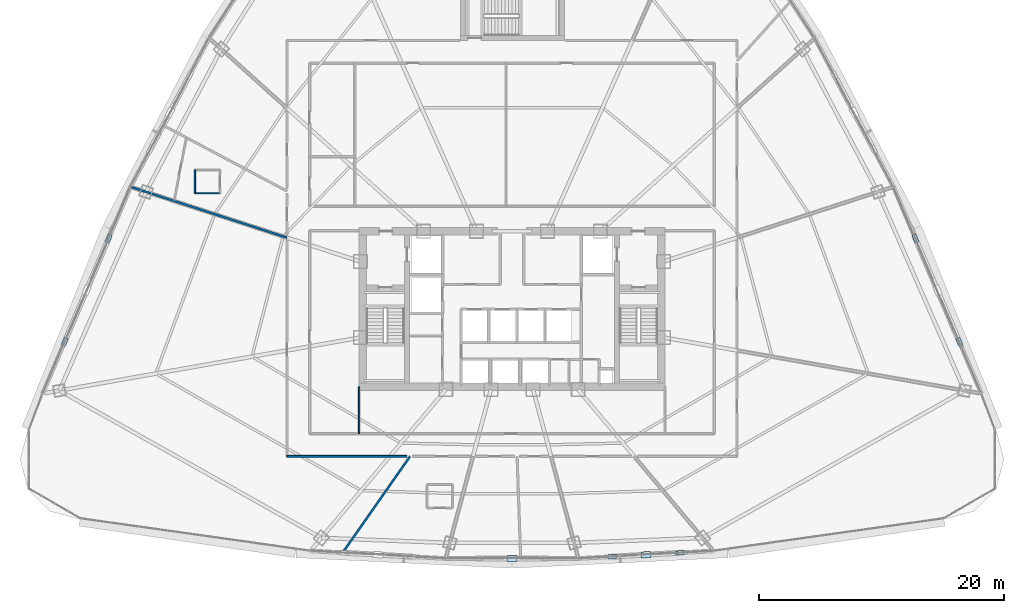
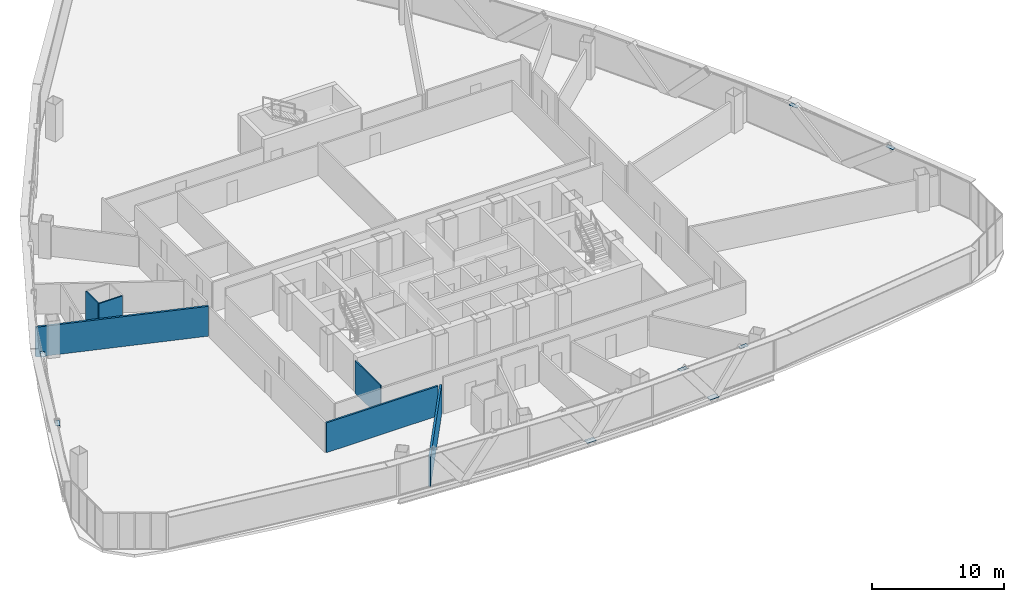
# One storey, part 34 of 42: 8 plates, 6 walls.
"""IFC4 building model written with IfcOpenShell, lengths in metres."""

from ifc_helpers import new_model, si_unit, direction, frame, frame_2d, origin, origin_2d, place, context, subcontext, project, spatial, rectangle, extrude, source, transform, mapped, material, layer, layer_set, type_object, element, save


model = new_model("IFC4")

# Units and contexts
model_context = context("Model", 3, precision=1e-05, world=origin(), true_north=direction((0.0, 1.0)))
body_context = subcontext(model_context, "Body", "Model", "MODEL_VIEW")
ifc_project = project(units=[si_unit("LENGTHUNIT", "METRE"), si_unit("AREAUNIT", "SQUARE_METRE"), si_unit("VOLUMEUNIT", "CUBIC_METRE"), si_unit("PLANEANGLEUNIT", "RADIAN"), si_unit("MASSUNIT", "GRAM", prefix="KILO"), si_unit("THERMODYNAMICTEMPERATUREUNIT", "KELVIN"), si_unit("POWERUNIT", "WATT")], contexts=[model_context])

# Site, building, storey
site_placement = place(None, origin())
site = spatial("IfcSite", under=ifc_project, at=site_placement, CompositionType="ELEMENT")
building_placement = place(site_placement, origin())
building = spatial("IfcBuilding", under=site, at=building_placement, Name="Yunzhuo Pagoda Commons", CompositionType="ELEMENT")
storey_placement = place(building_placement, frame((0.0, 0.0, 151.909912109375)))
storey = spatial("IfcBuildingStorey", under=building, at=storey_placement, Name="L38", CompositionType="ELEMENT", Elevation=151.909912109375)

# Plates
ifc_material_1 = material(Name="Structural steel Q355B", Category="steel")
ifc_layer_1 = layer(ifc_material_1, 0.028076171875)
ifc_layer_set_1 = layer_set([ifc_layer_1], Name="Structural steel Q355B")
plate_type = type_object("IfcPlateType", Name="SP-ND1 Lattice Node Cap Plate 800x500x28", PredefinedType="USERDEFINED", material=ifc_layer_set_1)
shared_shape_1 = source(origin(), body_context, "Body", "SweptSolid", [
    extrude(rectangle(XDim=0.800048828125, YDim=0.5, at=origin_2d()), origin(), (0.0, 0.0, 1.0), 0.028076171875),
])
for number, where, z_axis, x_axis, name in (
    (1, (48.0, 13.44384765625, -0.27392578125), (0.0, 0.0, 1.0), (1.0, 0.0, 0.0), "L38 diamond node plate F1.2A"),
    (2, (58.9501953125, 13.756103515625, -0.27392578125), (0.0, 0.0, 1.0), (0.998404508044, 0.056466258222, 0.0), "L38 diamond node plate F1.3A"),
):
    element("IfcPlate", number, at=place(storey_placement, frame(where, z_axis=z_axis, x_axis=x_axis)), inside=storey, type_object=plate_type, Name=name, ObjectType="STIFFENER_PLATE", PredefinedType="USERDEFINED", context=body_context, shape_type="MappedRepresentation", body=[
        mapped(shared_shape_1, transform((0.0, 0.0, 0.0), scale=1.0)),
    ])
shared_shape_2 = source(origin(), body_context, "Body", "SweptSolid", [
    extrude(rectangle(XDim=0.699951171875, YDim=0.35009765625, at=origin_2d()), origin(), (0.0, 0.0, 1.0), 0.035888671875),
])
for number, where, z_axis, x_axis, name in (
    (3, (56.18896484375, 13.60009765625, 3.38232421875), (0.0, 0.0, 1.0), (0.998404508044, 0.056466258222, 0.0), "L38 setback lattice tie plate F1.3L"),
    (4, (61.71142578125, 13.912353515625, 3.38232421875), (0.0, 0.0, 1.0), (0.998404508044, 0.056466258222, 0.0), "L38 setback lattice tie plate F1.3R"),
    (5, (84.5732421875, 31.15869140625, 3.38232421875), (0.0, 0.0, 1.0), (-0.39140578875, 0.920218185287, 0.0), "L38 setback lattice tie plate F2.1L"),
    (6, (80.9794921875, 39.607421875, 3.38232421875), (0.0, 0.0, 1.0), (-0.39140578875, 0.920218185287, 0.0), "L38 setback lattice tie plate F2.1R"),
    (7, (15.0205078125, 39.607421875, 3.38232421875), (0.0, 0.0, 1.0), (-0.39140578875, -0.920218185287, 0.0), "L38 setback lattice tie plate F3.3L"),
    (8, (11.4267578125, 31.15869140625, 3.38232421875), (0.0, 0.0, 1.0), (-0.39140578875, -0.920218185287, 0.0), "L38 setback lattice tie plate F3.3R"),
):
    element("IfcPlate", number, at=place(storey_placement, frame(where, z_axis=z_axis, x_axis=x_axis)), inside=storey, type_object=plate_type, Name=name, ObjectType="STIFFENER_PLATE", PredefinedType="USERDEFINED", context=body_context, shape_type="MappedRepresentation", body=[
        mapped(shared_shape_2, transform((0.0, 0.0, 0.0), scale=1.0)),
    ])

# Walls
ifc_material_2 = material(Name="Gypsum plasterboard on acoustic stud")
ifc_layer_2 = layer(ifc_material_2, 0.155029296875)
ifc_layer_set_2 = layer_set([ifc_layer_2], Name="Gypsum plasterboard on acoustic stud")
wall_type_1 = type_object("IfcWallType", Name="W-COR2 Mid-Zone Rated Corridor Wall 155", PredefinedType="PARTITIONING", material=ifc_layer_set_2)
wall_1_placement = place(storey_placement, frame((39.39892578125, 21.800048828125, 0.0), z_axis=(0.0, 0.0, 1.0), x_axis=(-1.0, 0.0, 0.0)))
element("IfcWall", 9, at=wall_1_placement, inside=storey, type_object=wall_type_1, Name="L38 interior wall IW-L38-CWL18", PredefinedType="PARTITIONING", context=body_context, shape_type="SweptSolid", body=[
    extrude(rectangle(XDim=9.798828125, YDim=0.155029296875, at=frame_2d((4.8994140625, 0.0))), origin(), (0.0, 0.0, 1.0), 2.77001953125),
])
ifc_layer_3 = layer(ifc_material_2, 0.1201171875)
ifc_layer_set_3 = layer_set([ifc_layer_3], Name="Gypsum plasterboard on acoustic stud")
wall_type_2 = type_object("IfcWallType", Name="W-PRT1 Suite & Bathroom Partition 120", PredefinedType="PARTITIONING", material=ifc_layer_set_3)
wall_2_placement = place(storey_placement, frame((35.5, 23.64990234375, 0.0), z_axis=(0.0, 0.0, 1.0), x_axis=(0.0, 1.0, 0.0)))
element("IfcWall", 10, at=wall_2_placement, inside=storey, type_object=wall_type_2, Name="L38 interior wall IW-L38-SFLD1", PredefinedType="PARTITIONING", context=body_context, shape_type="SweptSolid", body=[
    extrude(rectangle(XDim=3.85009765625, YDim=0.1201171875, at=frame_2d((1.925048828125, 0.0))), origin(), (0.0, 0.0, 1.0), 3.02001953125),
])
wall_3_placement = place(storey_placement, frame((22.080078125, 43.31005859375, 0.0), z_axis=(0.0, 0.0, 1.0), x_axis=(1.0, 0.0, 0.0)))
element("IfcWall", 11, at=wall_3_placement, inside=storey, type_object=wall_type_2, Name="L38 interior wall IW-L38-B07S", PredefinedType="PARTITIONING", context=body_context, shape_type="SweptSolid", body=[
    extrude(rectangle(XDim=2.0498046875, YDim=0.1201171875, at=frame_2d((1.02490234375, 0.0))), origin(), (0.0, 0.0, 1.0), 3.420166015625),
])
wall_4_placement = place(storey_placement, frame((22.080078125, 45.2099609375, 0.0), z_axis=(0.0, 0.0, 1.0), x_axis=(0.0, -1.0, 0.0)))
element("IfcWall", 12, at=wall_4_placement, inside=storey, type_object=wall_type_2, Name="L38 interior wall IW-L38-B07W", PredefinedType="PARTITIONING", context=body_context, shape_type="SweptSolid", body=[
    extrude(rectangle(XDim=1.89990234375, YDim=0.1201171875, at=frame_2d((0.949951171875, 0.0))), origin(), (0.0, 0.0, 1.0), 3.420166015625),
])
ifc_layer_4 = layer(ifc_material_2, 0.175048828125)
ifc_layer_set_4 = layer_set([ifc_layer_4], Name="Gypsum plasterboard on acoustic stud")
wall_type_3 = type_object("IfcWallType", Name="W-PRT3 Mid-Zone Demising Wall 175", PredefinedType="PARTITIONING", material=ifc_layer_set_4)
wall_5_placement = place(storey_placement, frame((29.60009765625, 39.678466796875, 0.0), z_axis=(0.0, 0.0, 1.0), x_axis=(-0.951059027278, 0.309009266259, 0.0)))
element("IfcWall", 13, at=wall_5_placement, inside=storey, type_object=wall_type_3, Name="L38 interior wall IW-L38-RAD07", PredefinedType="PARTITIONING", context=body_context, shape_type="SweptSolid", body=[
    extrude(rectangle(XDim=13.440673828125, YDim=0.175048828125, at=frame_2d((6.72021484375, 0.0))), origin(), (0.0, 0.0, 1.0), 2.77001953125),
])
wall_6_placement = place(storey_placement, frame((39.66748046875, 21.800048828125, 0.0), z_axis=(0.0, 0.0, 1.0), x_axis=(-0.573578164834, -0.81915083399, 0.0)))
element("IfcWall", 14, at=wall_6_placement, inside=storey, type_object=wall_type_3, Name="L38 interior wall IW-L38-RAD08", PredefinedType="PARTITIONING", context=body_context, shape_type="SweptSolid", body=[
    extrude(rectangle(XDim=9.61962890625, YDim=0.175048828125, at=frame_2d((4.809814453125, 0.0))), origin(), (0.0, 0.0, 1.0), 2.77001953125),
])

save(model, "model.ifc")
